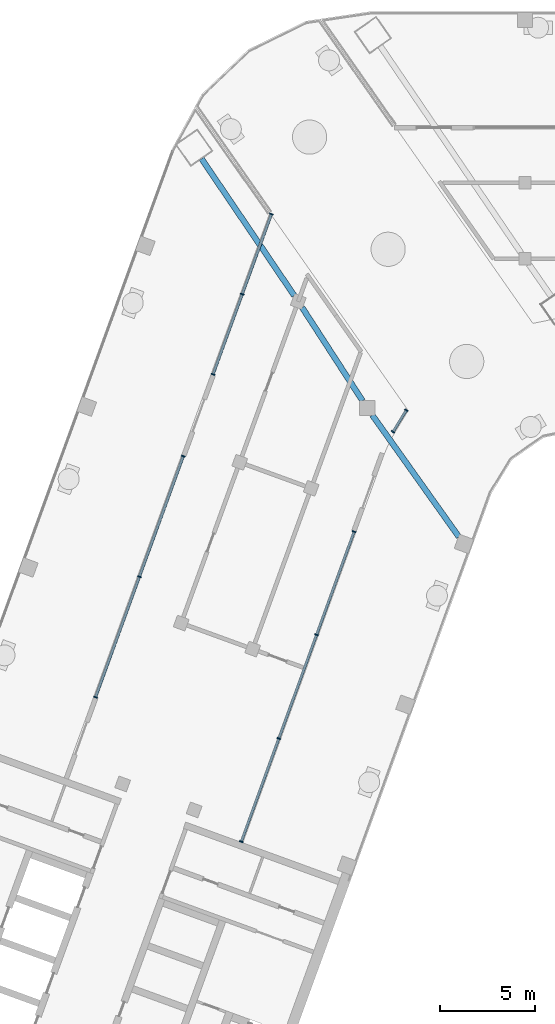
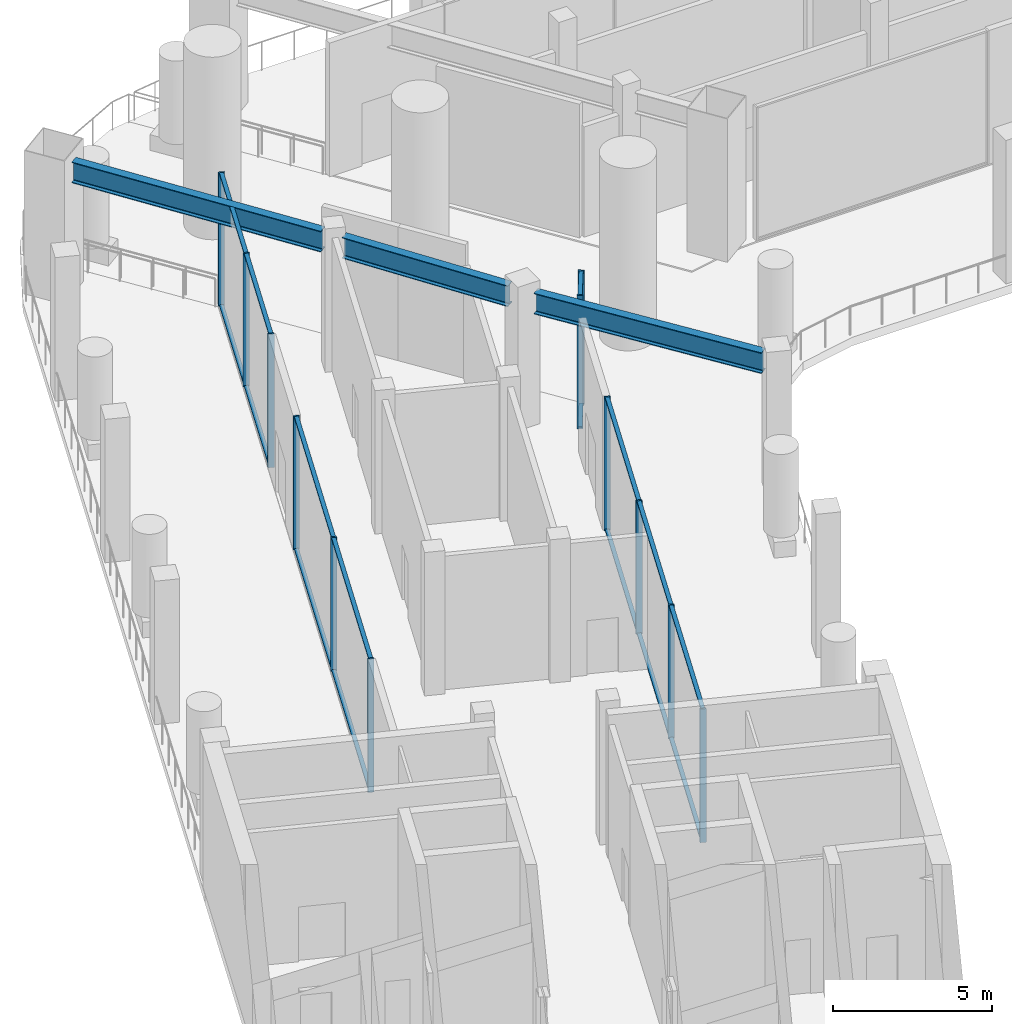
# One storey, part 2 of 17: 28 members, 3 beams, 4 elements without a shape of their own.
"""IFC4 building model written with IfcOpenShell, lengths in metres."""

from ifc_helpers import new_model, si_unit, direction, frame, origin, origin_2d, place, context, subcontext, project, spatial, rectangle, i_section, extrude, material, material_profile, profile_set, type_object, element, aggregate, save


model = new_model("IFC4")

# Units and contexts
model_context = context("Model", 3, precision=1e-05, world=origin(), true_north=direction((0.0, 1.0)))
body_context = subcontext(model_context, "Body", "Model", "MODEL_VIEW")
ifc_project = project(units=[si_unit("LENGTHUNIT", "METRE"), si_unit("AREAUNIT", "SQUARE_METRE"), si_unit("VOLUMEUNIT", "CUBIC_METRE"), si_unit("PLANEANGLEUNIT", "RADIAN"), si_unit("MASSUNIT", "GRAM", prefix="KILO")], contexts=[model_context])

# Site, building, storey
site_placement = place(None, origin())
site = spatial("IfcSite", under=ifc_project, at=site_placement, CompositionType="ELEMENT")
building_placement = place(site_placement, origin())
building = spatial("IfcBuilding", under=site, at=building_placement, Name="Skarvind Civic Tower", CompositionType="ELEMENT")
storey_placement = place(building_placement, frame((0.0, 0.0, 182.5)))
storey = spatial("IfcBuildingStorey", under=building, at=storey_placement, Name="L43", CompositionType="ELEMENT", Elevation=182.5)

# Curtain wall, members
ifc_material_1 = material(Name="Aluminium alloy 6063 and laminated glass", Category="aluminium")
curtain_wall_type = type_object("IfcCurtainWallType", Name="CW3 SEPARATOR INNER GLAZING", PredefinedType="NOTDEFINED", material=ifc_material_1)
curtain_wall_1_placement = place(storey_placement, origin())
curtain_wall_1 = element("IfcCurtainWall", 1, at=curtain_wall_1_placement, inside=storey, type_object=curtain_wall_type, Name="SEPARATOR INNER GLAZING", PredefinedType="NOTDEFINED")
ifc_material_2 = material(Name="Aluminium alloy 6063", Category="aluminium")
ifc_material_profile_1 = material_profile(ifc_material_2, rectangle(XDim=0.199951171875, YDim=0.06005859375, at=origin_2d()), Name="AL 60x200")
ifc_profile_set_1 = profile_set([ifc_material_profile_1], Name="Aluminium alloy 6063")
member_type_1 = type_object("IfcMemberType", Name="CW3 MULLION 60x200", PredefinedType="MULLION", material=ifc_profile_set_1)
member_1_placement = place(storey_placement, frame((48.010009765625, 118.0380859375, 0.0), z_axis=(0.0, 0.0, 1.0), x_axis=(0.852684190463, -0.522426713841, 0.0)))
member_1 = element("IfcMember", 2, at=member_1_placement, type_object=member_type_1, Name="CW3 mullion 1", PredefinedType="MULLION", context=body_context, shape_type="SweptSolid", body=[
    extrude(rectangle(XDim=0.199951171875, YDim=0.06005859375, at=origin_2d()), origin(), (0.0, 0.0, 1.0), 5.125),
])
member_2_placement = place(storey_placement, frame((47.30810546875, 116.892578125, 0.0), z_axis=(0.0, 0.0, 1.0), x_axis=(0.852684190463, -0.522426713841, 0.0)))
member_2 = element("IfcMember", 3, at=member_2_placement, type_object=member_type_1, Name="CW3 mullion 2", PredefinedType="MULLION", context=body_context, shape_type="SweptSolid", body=[
    extrude(rectangle(XDim=0.199951171875, YDim=0.06005859375, at=origin_2d()), origin(), (0.0, 0.0, 1.0), 5.125),
])

curtain_wall_2_placement = place(storey_placement, origin())
curtain_wall_2 = element("IfcCurtainWall", 4, at=curtain_wall_2_placement, inside=storey, type_object=curtain_wall_type, Name="SEPARATOR INNER GLAZING", PredefinedType="NOTDEFINED")
member_3_placement = place(storey_placement, frame((31.6640625, 102.938720703125, 0.0), z_axis=(0.0, 0.0, 1.0), x_axis=(-0.939692112767, 0.342021539093, 0.0)))
member_3 = element("IfcMember", 5, at=member_3_placement, type_object=member_type_1, Name="CW3 mullion 1", PredefinedType="MULLION", context=body_context, shape_type="SweptSolid", body=[
    extrude(rectangle(XDim=0.199951171875, YDim=0.06005859375, at=origin_2d()), origin(), (0.0, 0.0, 1.0), 5.125),
])
member_4_placement = place(storey_placement, frame((33.970947265625, 109.277099609375, 0.0), z_axis=(0.0, 0.0, 1.0), x_axis=(-0.939692112767, 0.342021539093, 0.0)))
member_4 = element("IfcMember", 6, at=member_4_placement, type_object=member_type_1, Name="CW3 mullion 2", PredefinedType="MULLION", context=body_context, shape_type="SweptSolid", body=[
    extrude(rectangle(XDim=0.199951171875, YDim=0.06005859375, at=origin_2d()), origin(), (0.0, 0.0, 1.0), 5.125),
])
member_5_placement = place(storey_placement, frame((36.278076171875, 115.61572265625, 0.0), z_axis=(0.0, 0.0, 1.0), x_axis=(-0.939692112767, 0.342021539093, 0.0)))
member_5 = element("IfcMember", 7, at=member_5_placement, type_object=member_type_1, Name="CW3 mullion 3", PredefinedType="MULLION", context=body_context, shape_type="SweptSolid", body=[
    extrude(rectangle(XDim=0.199951171875, YDim=0.06005859375, at=origin_2d()), origin(), (0.0, 0.0, 1.0), 5.125),
])

curtain_wall_3_placement = place(storey_placement, origin())
curtain_wall_3 = element("IfcCurtainWall", 8, at=curtain_wall_3_placement, inside=storey, type_object=curtain_wall_type, Name="SEPARATOR INNER GLAZING", PredefinedType="NOTDEFINED")
member_6_placement = place(storey_placement, frame((37.84326171875, 119.91650390625, 0.0), z_axis=(0.0, 0.0, 1.0), x_axis=(-0.93969286704, 0.342019466746, 0.0)))
member_6 = element("IfcMember", 9, at=member_6_placement, type_object=member_type_1, Name="CW3 mullion 1", PredefinedType="MULLION", context=body_context, shape_type="SweptSolid", body=[
    extrude(rectangle(XDim=0.199951171875, YDim=0.06005859375, at=origin_2d()), origin(), (0.0, 0.0, 1.0), 5.125),
])
member_7_placement = place(storey_placement, frame((39.3779296875, 124.1328125, 0.0), z_axis=(0.0, 0.0, 1.0), x_axis=(-0.93969286704, 0.342019466746, 0.0)))
member_7 = element("IfcMember", 10, at=member_7_placement, type_object=member_type_1, Name="CW3 mullion 2", PredefinedType="MULLION", context=body_context, shape_type="SweptSolid", body=[
    extrude(rectangle(XDim=0.199951171875, YDim=0.06005859375, at=origin_2d()), origin(), (0.0, 0.0, 1.0), 5.125),
])
member_8_placement = place(storey_placement, frame((40.91259765625, 128.34912109375, 0.0), z_axis=(0.0, 0.0, 1.0), x_axis=(-0.93969286704, 0.342019466746, 0.0)))
member_8 = element("IfcMember", 11, at=member_8_placement, type_object=member_type_1, Name="CW3 mullion 3", PredefinedType="MULLION", context=body_context, shape_type="SweptSolid", body=[
    extrude(rectangle(XDim=0.199951171875, YDim=0.06005859375, at=origin_2d()), origin(), (0.0, 0.0, 1.0), 5.125),
])

curtain_wall_4_placement = place(storey_placement, origin())
curtain_wall_4 = element("IfcCurtainWall", 12, at=curtain_wall_4_placement, inside=storey, type_object=curtain_wall_type, Name="SEPARATOR INNER GLAZING", PredefinedType="NOTDEFINED")
member_9_placement = place(storey_placement, frame((45.2626953125, 111.64794921875, 0.0), z_axis=(0.0, 0.0, 1.0), x_axis=(0.939693443578, -0.342017882714, 0.0)))
member_9 = element("IfcMember", 13, at=member_9_placement, type_object=member_type_1, Name="CW3 mullion 1", PredefinedType="MULLION", context=body_context, shape_type="SweptSolid", body=[
    extrude(rectangle(XDim=0.199951171875, YDim=0.06005859375, at=origin_2d()), origin(), (0.0, 0.0, 1.0), 5.125),
])
member_10_placement = place(storey_placement, frame((43.287841796875, 106.22216796875, 0.0), z_axis=(0.0, 0.0, 1.0), x_axis=(0.939693443578, -0.342017882714, 0.0)))
member_10 = element("IfcMember", 14, at=member_10_placement, type_object=member_type_1, Name="CW3 mullion 2", PredefinedType="MULLION", context=body_context, shape_type="SweptSolid", body=[
    extrude(rectangle(XDim=0.199951171875, YDim=0.06005859375, at=origin_2d()), origin(), (0.0, 0.0, 1.0), 5.125),
])
member_11_placement = place(storey_placement, frame((41.302978515625, 100.76806640625, 0.0), z_axis=(0.0, 0.0, 1.0), x_axis=(0.939693443578, -0.342017882714, 0.0)))
member_11 = element("IfcMember", 15, at=member_11_placement, type_object=member_type_1, Name="CW3 mullion 3", PredefinedType="MULLION", context=body_context, shape_type="SweptSolid", body=[
    extrude(rectangle(XDim=0.199951171875, YDim=0.06005859375, at=origin_2d()), origin(), (0.0, 0.0, 1.0), 5.125),
])
member_12_placement = place(storey_placement, frame((39.328125, 95.34228515625, 0.0), z_axis=(0.0, 0.0, 1.0), x_axis=(0.939693443578, -0.342017882714, 0.0)))
member_12 = element("IfcMember", 16, at=member_12_placement, type_object=member_type_1, Name="CW3 mullion 4", PredefinedType="MULLION", context=body_context, shape_type="SweptSolid", body=[
    extrude(rectangle(XDim=0.199951171875, YDim=0.06005859375, at=origin_2d()), origin(), (0.0, 0.0, 1.0), 5.125),
])

# Member
ifc_material_profile_2 = material_profile(ifc_material_2, rectangle(XDim=0.139892578125, YDim=0.06005859375, at=origin_2d()), Name="AL 60x140")
ifc_profile_set_2 = profile_set([ifc_material_profile_2], Name="Aluminium alloy 6063")
member_type_2 = type_object("IfcMemberType", Name="CW3 TRANSOM 60x140", PredefinedType="USERDEFINED", material=ifc_profile_set_2)
member_13_placement = place(storey_placement, frame((47.994384765625, 118.012451171875, 0.030029296875), z_axis=(-0.522472854977, -0.85265591877, 0.0), x_axis=(0.85265591877, -0.522472854977, 0.0)))
member_13 = element("IfcMember", 17, at=member_13_placement, type_object=member_type_2, Name="CW3 transom 1.1", ObjectType="TRANSOM", PredefinedType="USERDEFINED", context=body_context, shape_type="SweptSolid", body=[
    extrude(rectangle(XDim=0.139892578125, YDim=0.06005859375, at=origin_2d()), origin(), (0.0, 0.0, 1.0), 1.28369140625),
])

member_14_placement = place(storey_placement, frame((47.994384765625, 118.012451171875, 5.094970703125), z_axis=(-0.522472854977, -0.85265591877, 0.0), x_axis=(0.85265591877, -0.522472854977, 0.0)))
member_14 = element("IfcMember", 18, at=member_14_placement, type_object=member_type_2, Name="CW3 transom 1.2", ObjectType="TRANSOM", PredefinedType="USERDEFINED", context=body_context, shape_type="SweptSolid", body=[
    extrude(rectangle(XDim=0.139892578125, YDim=0.06005859375, at=origin_2d()), origin(), (0.0, 0.0, 1.0), 1.28369140625),
])

aggregate(curtain_wall_1, [member_1, member_2, member_13, member_14])

member_15_placement = place(storey_placement, frame((31.67431640625, 102.966796875, 0.030029296875), z_axis=(0.341998148667, 0.939700625895, 0.0), x_axis=(-0.939700625895, 0.341998148667, 0.0)))
member_15 = element("IfcMember", 19, at=member_15_placement, type_object=member_type_2, Name="CW3 transom 1.1", ObjectType="TRANSOM", PredefinedType="USERDEFINED", context=body_context, shape_type="SweptSolid", body=[
    extrude(rectangle(XDim=0.139892578125, YDim=0.06005859375, at=origin_2d()), origin(), (0.0, 0.0, 1.0), 6.685302734375),
])

member_16_placement = place(storey_placement, frame((31.67431640625, 102.966796875, 5.094970703125), z_axis=(0.341998148667, 0.939700625895, 0.0), x_axis=(-0.939700625895, 0.341998148667, 0.0)))
member_16 = element("IfcMember", 20, at=member_16_placement, type_object=member_type_2, Name="CW3 transom 1.2", ObjectType="TRANSOM", PredefinedType="USERDEFINED", context=body_context, shape_type="SweptSolid", body=[
    extrude(rectangle(XDim=0.139892578125, YDim=0.06005859375, at=origin_2d()), origin(), (0.0, 0.0, 1.0), 6.685302734375),
])

member_17_placement = place(storey_placement, frame((33.981201171875, 109.305419921875, 0.030029296875), z_axis=(0.342042132922, 0.939684616936, 0.0), x_axis=(-0.939684616936, 0.342042132922, 0.0)))
member_17 = element("IfcMember", 21, at=member_17_placement, type_object=member_type_2, Name="CW3 transom 2.1", ObjectType="TRANSOM", PredefinedType="USERDEFINED", context=body_context, shape_type="SweptSolid", body=[
    extrude(rectangle(XDim=0.139892578125, YDim=0.06005859375, at=origin_2d()), origin(), (0.0, 0.0, 1.0), 6.685302734375),
])

member_18_placement = place(storey_placement, frame((33.981201171875, 109.305419921875, 5.094970703125), z_axis=(0.342042132922, 0.939684616936, 0.0), x_axis=(-0.939684616936, 0.342042132922, 0.0)))
member_18 = element("IfcMember", 22, at=member_18_placement, type_object=member_type_2, Name="CW3 transom 2.2", ObjectType="TRANSOM", PredefinedType="USERDEFINED", context=body_context, shape_type="SweptSolid", body=[
    extrude(rectangle(XDim=0.139892578125, YDim=0.06005859375, at=origin_2d()), origin(), (0.0, 0.0, 1.0), 6.685302734375),
])

aggregate(curtain_wall_2, [member_3, member_4, member_5, member_15, member_16, member_17, member_18])

member_19_placement = place(storey_placement, frame((37.853515625, 119.944580078125, 0.030029296875), z_axis=(0.342035297032, 0.939687105149, 0.0), x_axis=(-0.939687105149, 0.342035297032, 0.0)))
member_19 = element("IfcMember", 23, at=member_19_placement, type_object=member_type_2, Name="CW3 transom 1.1", ObjectType="TRANSOM", PredefinedType="USERDEFINED", context=body_context, shape_type="SweptSolid", body=[
    extrude(rectangle(XDim=0.139892578125, YDim=0.06005859375, at=origin_2d()), origin(), (0.0, 0.0, 1.0), 4.427001953125),
])

member_20_placement = place(storey_placement, frame((37.853515625, 119.944580078125, 5.094970703125), z_axis=(0.342035297032, 0.939687105149, 0.0), x_axis=(-0.939687105149, 0.342035297032, 0.0)))
member_20 = element("IfcMember", 24, at=member_20_placement, type_object=member_type_2, Name="CW3 transom 1.2", ObjectType="TRANSOM", PredefinedType="USERDEFINED", context=body_context, shape_type="SweptSolid", body=[
    extrude(rectangle(XDim=0.139892578125, YDim=0.06005859375, at=origin_2d()), origin(), (0.0, 0.0, 1.0), 4.427001953125),
])

member_21_placement = place(storey_placement, frame((39.38818359375, 124.160888671875, 0.030029296875), z_axis=(0.342035297032, 0.939687105149, 0.0), x_axis=(-0.939687105149, 0.342035297032, 0.0)))
member_21 = element("IfcMember", 25, at=member_21_placement, type_object=member_type_2, Name="CW3 transom 2.1", ObjectType="TRANSOM", PredefinedType="USERDEFINED", context=body_context, shape_type="SweptSolid", body=[
    extrude(rectangle(XDim=0.139892578125, YDim=0.06005859375, at=origin_2d()), origin(), (0.0, 0.0, 1.0), 4.427001953125),
])

member_22_placement = place(storey_placement, frame((39.38818359375, 124.160888671875, 5.094970703125), z_axis=(0.342035297032, 0.939687105149, 0.0), x_axis=(-0.939687105149, 0.342035297032, 0.0)))
member_22 = element("IfcMember", 26, at=member_22_placement, type_object=member_type_2, Name="CW3 transom 2.2", ObjectType="TRANSOM", PredefinedType="USERDEFINED", context=body_context, shape_type="SweptSolid", body=[
    extrude(rectangle(XDim=0.139892578125, YDim=0.06005859375, at=origin_2d()), origin(), (0.0, 0.0, 1.0), 4.427001953125),
])

aggregate(curtain_wall_3, [member_6, member_7, member_8, member_19, member_20, member_21, member_22])

member_23_placement = place(storey_placement, frame((45.25244140625, 111.61962890625, 0.030029296875), z_axis=(-0.342027788572, -0.939689838109, 0.0), x_axis=(0.939689838109, -0.342027788572, 0.0)))
member_23 = element("IfcMember", 27, at=member_23_placement, type_object=member_type_2, Name="CW3 transom 1.1", ObjectType="TRANSOM", PredefinedType="USERDEFINED", context=body_context, shape_type="SweptSolid", body=[
    extrude(rectangle(XDim=0.139892578125, YDim=0.06005859375, at=origin_2d()), origin(), (0.0, 0.0, 1.0), 5.714111328125),
])

member_24_placement = place(storey_placement, frame((45.25244140625, 111.61962890625, 5.094970703125), z_axis=(-0.342027788572, -0.939689838109, 0.0), x_axis=(0.939689838109, -0.342027788572, 0.0)))
member_24 = element("IfcMember", 28, at=member_24_placement, type_object=member_type_2, Name="CW3 transom 1.2", ObjectType="TRANSOM", PredefinedType="USERDEFINED", context=body_context, shape_type="SweptSolid", body=[
    extrude(rectangle(XDim=0.139892578125, YDim=0.06005859375, at=origin_2d()), origin(), (0.0, 0.0, 1.0), 5.714111328125),
])

member_25_placement = place(storey_placement, frame((43.277587890625, 106.19384765625, 0.030029296875), z_axis=(-0.341995598976, -0.939701553836, 0.0), x_axis=(0.939701553836, -0.341995598976, 0.0)))
member_25 = element("IfcMember", 29, at=member_25_placement, type_object=member_type_2, Name="CW3 transom 2.1", ObjectType="TRANSOM", PredefinedType="USERDEFINED", context=body_context, shape_type="SweptSolid", body=[
    extrude(rectangle(XDim=0.139892578125, YDim=0.06005859375, at=origin_2d()), origin(), (0.0, 0.0, 1.0), 5.743896484375),
])

member_26_placement = place(storey_placement, frame((43.277587890625, 106.19384765625, 5.094970703125), z_axis=(-0.341995598976, -0.939701553836, 0.0), x_axis=(0.939701553836, -0.341995598976, 0.0)))
member_26 = element("IfcMember", 30, at=member_26_placement, type_object=member_type_2, Name="CW3 transom 2.2", ObjectType="TRANSOM", PredefinedType="USERDEFINED", context=body_context, shape_type="SweptSolid", body=[
    extrude(rectangle(XDim=0.139892578125, YDim=0.06005859375, at=origin_2d()), origin(), (0.0, 0.0, 1.0), 5.743896484375),
])

member_27_placement = place(storey_placement, frame((41.292724609375, 100.739990234375, 0.030029296875), z_axis=(-0.342027788572, -0.939689838109, 0.0), x_axis=(0.939689838109, -0.342027788572, 0.0)))
member_27 = element("IfcMember", 31, at=member_27_placement, type_object=member_type_2, Name="CW3 transom 3.1", ObjectType="TRANSOM", PredefinedType="USERDEFINED", context=body_context, shape_type="SweptSolid", body=[
    extrude(rectangle(XDim=0.139892578125, YDim=0.06005859375, at=origin_2d()), origin(), (0.0, 0.0, 1.0), 5.714111328125),
])

member_28_placement = place(storey_placement, frame((41.292724609375, 100.739990234375, 5.094970703125), z_axis=(-0.342027788572, -0.939689838109, 0.0), x_axis=(0.939689838109, -0.342027788572, 0.0)))
member_28 = element("IfcMember", 32, at=member_28_placement, type_object=member_type_2, Name="CW3 transom 3.2", ObjectType="TRANSOM", PredefinedType="USERDEFINED", context=body_context, shape_type="SweptSolid", body=[
    extrude(rectangle(XDim=0.139892578125, YDim=0.06005859375, at=origin_2d()), origin(), (0.0, 0.0, 1.0), 5.714111328125),
])

aggregate(curtain_wall_4, [member_9, member_10, member_11, member_12, member_23, member_24, member_25, member_26, member_27, member_28])

# Beams
ifc_material_3 = material(Name="Steel SM355", Category="steel")
ifc_material_profile_3 = material_profile(ifc_material_3, i_section(OverallWidth=0.300048828125, OverallDepth=0.800048828125, WebThickness=0.013916015625, FlangeThickness=0.02587890625, FilletRadius=0.028076171875, at=origin_2d()), Name="H-800x300x14x26")
ifc_profile_set_3 = profile_set([ifc_material_profile_3], Name="Steel SM355")
beam_type = type_object("IfcBeamType", Name="Slot edge beam H-800x300x14x26 SM355", PredefinedType="BEAM", material=ifc_profile_set_3)
beam_1_placement = place(storey_placement, frame((50.77587890625, 111.3720703125, 4.72509765625), z_axis=(-0.579780002832, 0.814773065532, 0.0), x_axis=(-0.814773065532, -0.579780002832, 0.0)))
element("IfcBeam", 33, at=beam_1_placement, inside=storey, type_object=beam_type, Name="Slot edge beam L44 A5", PredefinedType="BEAM", context=body_context, shape_type="SweptSolid", body=[
    extrude(i_section(OverallWidth=0.300048828125, OverallDepth=0.800048828125, WebThickness=0.013916015625, FlangeThickness=0.02587890625, FilletRadius=0.028076171875, at=origin_2d()), origin(), (0.0, 0.0, 1.0), 7.860595703125),
])
beam_2_placement = place(storey_placement, frame((45.708740234375, 118.526611328125, 4.72509765625), z_axis=(-0.543659714905, 0.839305733561, 0.0), x_axis=(-0.839305733561, -0.543659714905, 0.0)))
element("IfcBeam", 34, at=beam_2_placement, inside=storey, type_object=beam_type, Name="Slot edge beam L44 A6", PredefinedType="BEAM", context=body_context, shape_type="SweptSolid", body=[
    extrude(i_section(OverallWidth=0.300048828125, OverallDepth=0.800048828125, WebThickness=0.013916015625, FlangeThickness=0.02587890625, FilletRadius=0.028076171875, at=origin_2d()), origin(), (0.0, 0.0, 1.0), 5.84814453125),
])
beam_3_placement = place(storey_placement, frame((42.117431640625, 124.05712890625, 4.72509765625), z_axis=(-0.560896553685, 0.827885895558, 0.0), x_axis=(-0.827885895558, -0.560896553685, 0.0)))
element("IfcBeam", 35, at=beam_3_placement, inside=storey, type_object=beam_type, Name="Slot edge beam L44 A7", PredefinedType="BEAM", context=body_context, shape_type="SweptSolid", body=[
    extrude(i_section(OverallWidth=0.300048828125, OverallDepth=0.800048828125, WebThickness=0.013916015625, FlangeThickness=0.02587890625, FilletRadius=0.028076171875, at=origin_2d()), origin(), (0.0, 0.0, 1.0), 8.697998046875),
])

save(model, "model.ifc")
